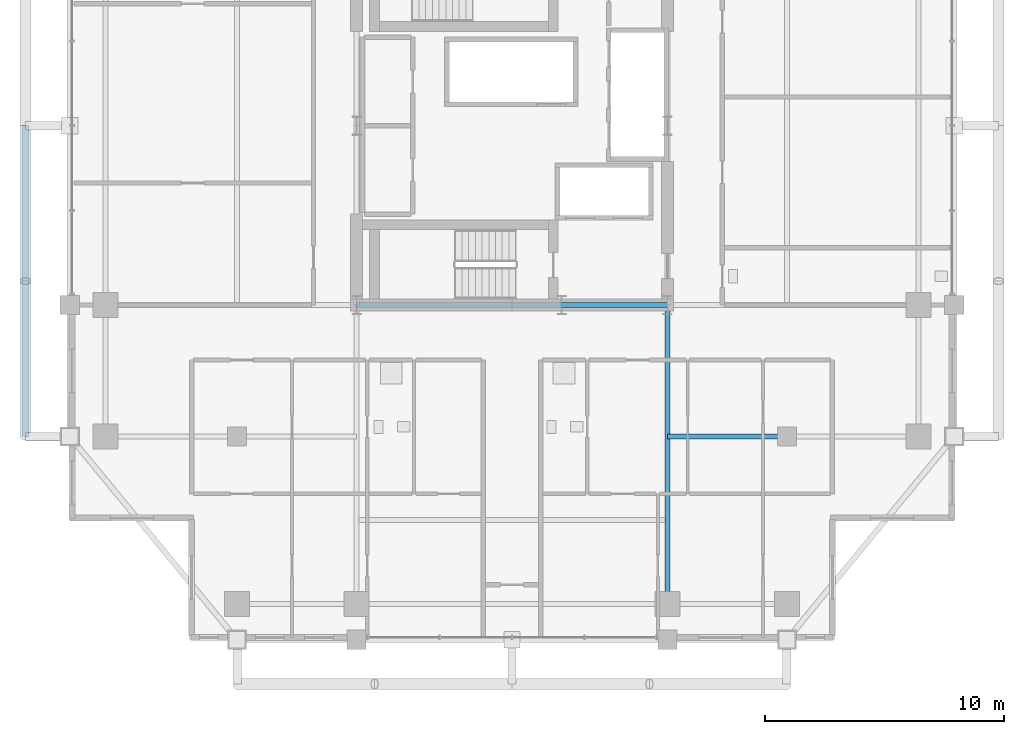
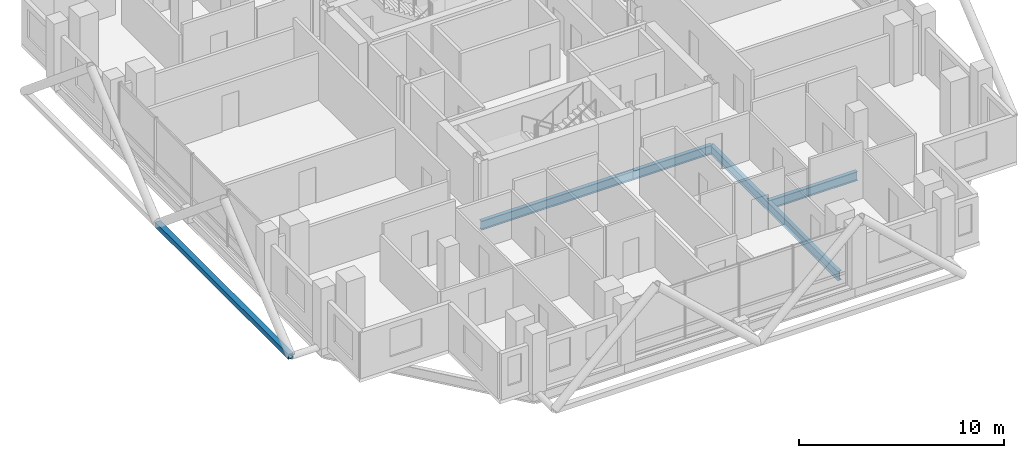
# One storey, part 6 of 26: 4 beams, 1 member.
"""IFC4 building model written with IfcOpenShell, lengths in metres."""

from ifc_helpers import new_model, si_unit, direction, frame, origin, origin_2d, place, context, subcontext, project, spatial, hollow_rectangle, i_section, extrude, material, material_profile, profile_set, type_object, element, save


model = new_model("IFC4")

# Units and contexts
model_context = context("Model", 3, precision=1e-05, world=origin(), true_north=direction((0.0, 1.0)))
body_context = subcontext(model_context, "Body", "Model", "MODEL_VIEW")
ifc_project = project(units=[si_unit("LENGTHUNIT", "METRE"), si_unit("AREAUNIT", "SQUARE_METRE"), si_unit("VOLUMEUNIT", "CUBIC_METRE"), si_unit("PLANEANGLEUNIT", "RADIAN"), si_unit("MASSUNIT", "GRAM", prefix="KILO")], contexts=[model_context])

# Site, building, storey
site_placement = place(None, origin())
site = spatial("IfcSite", under=ifc_project, at=site_placement, CompositionType="ELEMENT")
building_placement = place(site_placement, origin())
building = spatial("IfcBuilding", under=site, at=building_placement, Name="Barlavira Tower and Art Museum", CompositionType="ELEMENT")
storey_placement = place(building_placement, frame((0.0, 0.0, 198.0)))
storey = spatial("IfcBuildingStorey", under=building, at=storey_placement, Name="L51", CompositionType="ELEMENT", Elevation=198.0)

# Member
ifc_material = material(Name="Steel S355", Category="steel")
ifc_material_profile_1 = material_profile(ifc_material, hollow_rectangle(XDim=0.300048828125, YDim=0.300048828125, WallThickness=0.01611328125, at=origin_2d()), Name="SHS 300x300x16.0")
ifc_profile_set_1 = profile_set([ifc_material_profile_1], Name="Steel S355")
member_type = type_object("IfcMemberType", Name="Pale-Metal Upper Ring Strut SHS 300x300x16 Steel S355", PredefinedType="STRUT", material=ifc_profile_set_1)
member_placement = place(storey_placement, frame((-20.35009765625, -13.0, -0.1201171875), z_axis=(0.0, 1.0, 0.0), x_axis=(-1.0, 0.0, 0.0)))
element("IfcMember", 1, at=member_placement, inside=storey, type_object=member_type, Name="L51 Exoskeleton Ring Strut W", PredefinedType="STRUT", context=body_context, shape_type="SweptSolid", body=[
    extrude(hollow_rectangle(XDim=0.300048828125, YDim=0.300048828125, WallThickness=0.01611328125, at=origin_2d()), origin(), (0.0, 0.0, 1.0), 13.0),
])

# Beams
ifc_material_profile_2 = material_profile(ifc_material, i_section(OverallWidth=0.2109375, OverallDepth=0.5390625, WebThickness=0.01171875, FlangeThickness=0.018798828125, at=origin_2d()), Name="W530x109.0")
ifc_profile_set_2 = profile_set([ifc_material_profile_2], Name="Steel S355")
beam_type = type_object("IfcBeamType", Name="Zone 3-4 Primary Floor Girder W530x109 Steel S355", PredefinedType="BEAM", material=ifc_profile_set_2)
beam_1_placement = place(storey_placement, frame((-6.5, -7.5, -0.489501953125), z_axis=(1.0, 0.0, 0.0), x_axis=(0.0, 1.0, 0.0)))
element("IfcBeam", 2, at=beam_1_placement, inside=storey, type_object=beam_type, Name="L51 Girder C-S1", PredefinedType="BEAM", context=body_context, shape_type="SweptSolid", body=[
    extrude(i_section(OverallWidth=0.2109375, OverallDepth=0.5390625, WebThickness=0.01171875, FlangeThickness=0.018798828125, at=origin_2d()), origin(), (0.0, 0.0, 1.0), 8.580078125),
])
beam_2_placement = place(storey_placement, frame((2.080078125, -7.5, -0.489501953125), z_axis=(1.0, 0.0, 0.0), x_axis=(0.0, 1.0, 0.0)))
element("IfcBeam", 3, at=beam_2_placement, inside=storey, type_object=beam_type, Name="L51 Girder C-S2", PredefinedType="BEAM", context=body_context, shape_type="SweptSolid", body=[
    extrude(i_section(OverallWidth=0.2109375, OverallDepth=0.5390625, WebThickness=0.01171875, FlangeThickness=0.018798828125, at=origin_2d()), origin(), (0.0, 0.0, 1.0), 4.419921875),
])
beam_3_placement = place(storey_placement, frame((6.5, -20.0, -0.489501953125), z_axis=(0.0, 1.0, 0.0), x_axis=(-1.0, 0.0, 0.0)))
element("IfcBeam", 4, at=beam_3_placement, inside=storey, type_object=beam_type, Name="L51 Girder R-S2", PredefinedType="BEAM", context=body_context, shape_type="SweptSolid", body=[
    extrude(i_section(OverallWidth=0.2109375, OverallDepth=0.5390625, WebThickness=0.01171875, FlangeThickness=0.018798828125, at=origin_2d()), origin(), (0.0, 0.0, 1.0), 12.5),
])
beam_4_placement = place(storey_placement, frame((6.5, -13.0, -0.489501953125), z_axis=(1.0, 0.0, 0.0), x_axis=(0.0, 1.0, 0.0)))
element("IfcBeam", 5, at=beam_4_placement, inside=storey, type_object=beam_type, Name="L51 Girder I-S3", PredefinedType="BEAM", context=body_context, shape_type="SweptSolid", body=[
    extrude(i_section(OverallWidth=0.2109375, OverallDepth=0.5390625, WebThickness=0.01171875, FlangeThickness=0.018798828125, at=origin_2d()), origin(), (0.0, 0.0, 1.0), 5.0),
])

save(model, "model.ifc")
